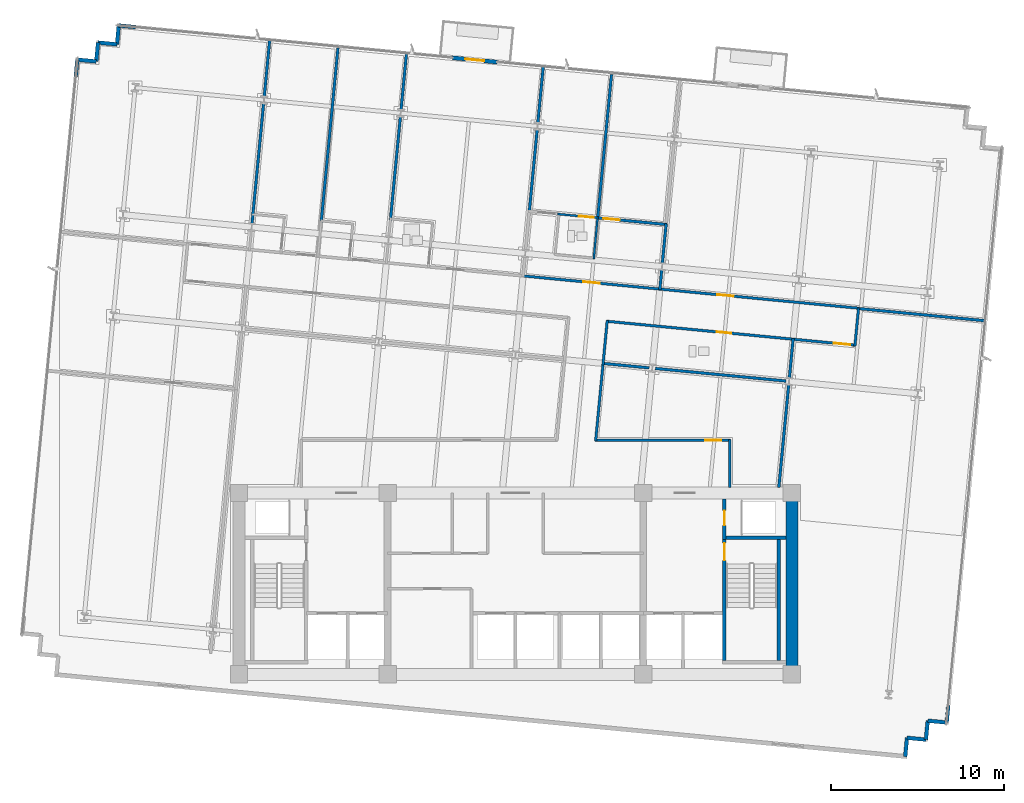
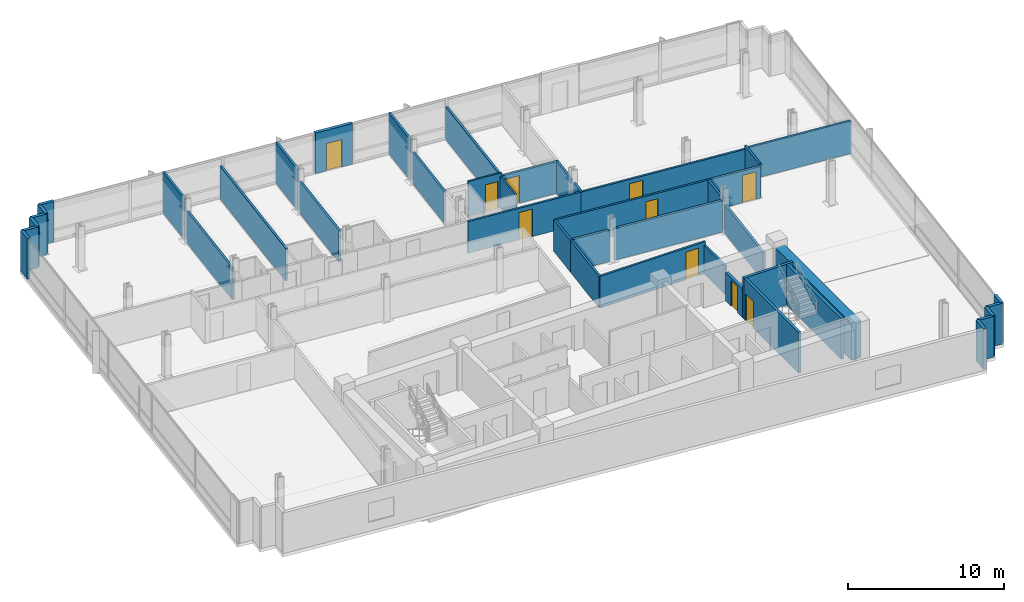
# One storey, part 12 of 17: 44 walls, 10 doors, 10 openings.
"""IFC4 building model written with IfcOpenShell, lengths in metres."""

from ifc_helpers import new_model, si_unit, direction, frame, frame_2d, origin, place, context, subcontext, project, spatial, rectangle, extrude, material, layer, layer_set, type_object, element, fill, save


model = new_model("IFC4")

# Units and contexts
model_context = context("Model", 3, precision=1e-05, world=origin(), true_north=direction((0.0, 1.0)))
body_context = subcontext(model_context, "Body", "Model", "MODEL_VIEW")
ifc_project = project(units=[si_unit("LENGTHUNIT", "METRE"), si_unit("AREAUNIT", "SQUARE_METRE"), si_unit("VOLUMEUNIT", "CUBIC_METRE"), si_unit("PLANEANGLEUNIT", "RADIAN"), si_unit("MASSUNIT", "GRAM", prefix="KILO")], contexts=[model_context])

# Site, building, storey
site_placement = place(None, origin())
site = spatial("IfcSite", under=ifc_project, at=site_placement, CompositionType="ELEMENT")
building_placement = place(site_placement, origin())
building = spatial("IfcBuilding", under=site, at=building_placement, Name="Solmavex Isthmus Hotel", CompositionType="ELEMENT")
storey_placement = place(building_placement, frame((0.0, 0.0, 149.699951171875)))
storey = spatial("IfcBuildingStorey", under=building, at=storey_placement, Name="L40", CompositionType="ELEMENT", Elevation=149.699951171875)

# Wall, opening, door
ifc_material_1 = material(Name="Precast Concrete C40/50", Category="concrete")
ifc_layer_1 = layer(ifc_material_1, 0.25)
ifc_layer_set_1 = layer_set([ifc_layer_1], Name="Precast Concrete C40/50")
wall_type_1 = type_object("IfcWallType", Name="EW-TWR-250", PredefinedType="STANDARD", material=ifc_layer_set_1)
wall_1_placement = place(storey_placement, frame((-3.64404296875, 22.698974609375, 0.0), z_axis=(0.0, 0.0, 1.0), x_axis=(0.995393186867, -0.095877022999, 0.0)))
wall_1 = element("IfcWall", 1, at=wall_1_placement, inside=storey, type_object=wall_type_1, Name="Exterior Balcony Door Wall L40-2", PredefinedType="STANDARD", context=body_context, shape_type="SweptSolid", body=[
    extrude(rectangle(XDim=2.599853515625, YDim=0.239990234375, at=frame_2d((1.2998046875, 0.0))), origin(), (0.0, 0.0, 1.0), 3.18994140625),
])
opening_1_placement = place(wall_1_placement, frame((0.75, 0.0, 0.0)))
opening_1 = element("IfcOpeningElement", 2, at=opening_1_placement, cuts=wall_1, Name="Opening ED-02", PredefinedType="OPENING", context=body_context, shape_type="SweptSolid", body=[
    extrude(rectangle(XDim=1.10009765625, YDim=2.14990234375, at=frame_2d((0.550048828125, 1.074951171875))), frame((0.0, 0.1298828125, 0.0), z_axis=(0.0, -1.0, 0.0), x_axis=(1.0, 0.0, 0.0)), (0.0, 0.0, 1.0), 0.260009765625),
])
ifc_material_2 = material(Name="Aluminium alloy 6063-T6", Category="aluminium")
door_type_1 = type_object("IfcDoorType", Name="EDR-BALC-1100", OperationType="NOTDEFINED", PredefinedType="DOOR", material=ifc_material_2)
door_1_placement = place(opening_1_placement, origin())
door_1 = element("IfcDoor", 3, at=door_1_placement, inside=storey, type_object=door_type_1, Name="Balcony & Terrace Glazed Door L40-2", OperationType="SINGLE_SWING_RIGHT", OverallHeight=2.14990234375, OverallWidth=1.10009765625, PredefinedType="DOOR", context=body_context, shape_type="SweptSolid", body=[
    extrude(rectangle(XDim=1.10009765625, YDim=2.14990234375, at=frame_2d((0.550048828125, 1.074951171875))), frame((0.0, 0.02490234375, 0.0), z_axis=(0.0, -1.0, 0.0), x_axis=(1.0, 0.0, 0.0)), (0.0, 0.0, 1.0), 0.050048828125),
])
fill(opening_1, door_1)

# Walls
wall_2_placement = place(storey_placement, frame((-25.46142578125, 21.60498046875, 0.0), z_axis=(0.0, 0.0, 1.0), x_axis=(0.095937974524, 0.995387314086, 0.0)))
element("IfcWall", 4, at=wall_2_placement, inside=storey, type_object=wall_type_1, Name="Serrated Corner Facade Panel L40-07", PredefinedType="STANDARD", context=body_context, shape_type="SweptSolid", body=[
    extrude(rectangle(XDim=0.989990234375, YDim=0.219970703125, at=frame_2d((0.4951171875, 0.0))), origin(), (0.0, 0.0, 1.0), 3.18994140625),
])
for number, where, z_axis, x_axis, name in (
    (5, (-25.366455078125, 22.59033203125, 0.0), (0.0, 0.0, 1.0), (0.995414313875, -0.095657429048, 0.0), "Serrated Corner Facade Panel L40-08"),
    (6, (-24.271484375, 22.485107421875, 0.0), (0.0, 0.0, 1.0), (0.095657429048, 0.995414313875, 0.0), "Serrated Corner Facade Panel L40-09"),
    (7, (-24.166259765625, 23.580078125, 0.0), (0.0, 0.0, 1.0), (0.995393156894, -0.095877334176, 0.0), "Serrated Corner Facade Panel L40-10"),
    (8, (-23.0712890625, 23.474609375, 0.0), (0.0, 0.0, 1.0), (0.095877334176, 0.995393156894, 0.0), "Serrated Corner Facade Panel L40-11"),
):
    element("IfcWall", number, at=place(storey_placement, frame(where, z_axis=z_axis, x_axis=x_axis)), inside=storey, type_object=wall_type_1, Name=name, PredefinedType="STANDARD", context=body_context, shape_type="SweptSolid", body=[
        extrude(rectangle(XDim=1.10009765625, YDim=0.219970703125, at=frame_2d((0.550048828125, 0.0))), origin(), (0.0, 0.0, 1.0), 3.18994140625),
    ])
wall_3_placement = place(storey_placement, frame((-22.9658203125, 24.569580078125, 0.0), z_axis=(0.0, 0.0, 1.0), x_axis=(0.995387314086, -0.095937974524, 0.0)))
element("IfcWall", 9, at=wall_3_placement, inside=storey, type_object=wall_type_1, Name="Serrated Corner Facade Panel L40-12", PredefinedType="STANDARD", context=body_context, shape_type="SweptSolid", body=[
    extrude(rectangle(XDim=0.989990234375, YDim=0.219970703125, at=frame_2d((0.4951171875, 0.0))), origin(), (0.0, 0.0, 1.0), 3.18994140625),
])
wall_4_placement = place(storey_placement, frame((25.0615234375, -14.804931640625, 0.0), z_axis=(0.0, 0.0, 1.0), x_axis=(-0.095914428506, -0.995389583231, 0.0)))
element("IfcWall", 10, at=wall_4_placement, inside=storey, type_object=wall_type_1, Name="Serrated Corner Facade Panel L40-21", PredefinedType="STANDARD", context=body_context, shape_type="SweptSolid", body=[
    extrude(rectangle(XDim=0.990234375, YDim=0.219970703125, at=frame_2d((0.4951171875, 0.0))), origin(), (0.0, 0.0, 1.0), 3.18994140625),
])
for number, where, z_axis, x_axis, name in (
    (11, (24.966552734375, -15.79052734375, 0.0), (0.0, 0.0, 1.0), (-0.995393156894, 0.095877334176, 0.0), "Serrated Corner Facade Panel L40-22"),
    (12, (23.87158203125, -15.68505859375, 0.0), (0.0, 0.0, 1.0), (-0.095877334176, -0.995393156894, 0.0), "Serrated Corner Facade Panel L40-23"),
    (13, (23.76611328125, -16.780029296875, 0.0), (0.0, 0.0, 1.0), (-0.995393156894, 0.095877334176, 0.0), "Serrated Corner Facade Panel L40-24"),
    (14, (22.671142578125, -16.674560546875, 0.0), (0.0, 0.0, 1.0), (-0.095657429048, -0.995414313875, 0.0), "Serrated Corner Facade Panel L40-25"),
):
    element("IfcWall", number, at=place(storey_placement, frame(where, z_axis=z_axis, x_axis=x_axis)), inside=storey, type_object=wall_type_1, Name=name, PredefinedType="STANDARD", context=body_context, shape_type="SweptSolid", body=[
        extrude(rectangle(XDim=1.10009765625, YDim=0.219970703125, at=frame_2d((0.550048828125, 0.0))), origin(), (0.0, 0.0, 1.0), 3.18994140625),
    ])
ifc_material_3 = material(Name="Gypsum plasterboard lining", Category="gypsum")
ifc_layer_2 = layer(ifc_material_3, 0.159912109375)
ifc_layer_set_2 = layer_set([ifc_layer_2], Name="Gypsum plasterboard lining")
wall_type_2 = type_object("IfcWallType", Name="IW-COMP-160", PredefinedType="PARTITIONING", material=ifc_layer_set_2)
wall_5_placement = place(storey_placement, frame((-14.57958984375, 20.0791015625, 0.0), z_axis=(0.0, 0.0, 1.0), x_axis=(-0.095849846802, -0.995395804124, 0.0)))
element("IfcWall", 15, at=wall_5_placement, inside=storey, type_object=wall_type_2, Name="Interior Partition Wall W-L40-P024", PredefinedType="PARTITIONING", context=body_context, shape_type="SweptSolid", body=[
    extrude(rectangle(XDim=7.040283203125, YDim=0.159912109375, at=frame_2d((3.52001953125, 0.0))), origin(), (0.0, 0.0, 1.0), 2.4794921875),
])
wall_6_placement = place(storey_placement, frame((-14.225341796875, 23.758056640625, 0.0), z_axis=(0.0, 0.0, 1.0), x_axis=(-0.095859866796, -0.995394839216, 0.0)))
element("IfcWall", 16, at=wall_6_placement, inside=storey, type_object=wall_type_2, Name="Interior Partition Wall W-L40-P025", PredefinedType="PARTITIONING", context=body_context, shape_type="SweptSolid", body=[
    extrude(rectangle(XDim=3.343994140625, YDim=0.159912109375, at=frame_2d((1.671875, 0.0))), origin(), (0.0, 0.0, 1.0), 3.18994140625),
])
wall_7_placement = place(storey_placement, frame((-10.277099609375, 23.25732421875, 0.0), z_axis=(0.0, 0.0, 1.0), x_axis=(-0.095852900965, -0.995395510024, 0.0)))
element("IfcWall", 17, at=wall_7_placement, inside=storey, type_object=wall_type_2, Name="Interior Partition Wall W-L40-P030", PredefinedType="PARTITIONING", context=body_context, shape_type="SweptSolid", body=[
    extrude(rectangle(XDim=10.132080078125, YDim=0.159912109375, at=frame_2d((5.06591796875, 0.0))), origin(), (0.0, 0.0, 1.0), 2.5576171875),
])
wall_8_placement = place(storey_placement, frame((-6.66015625, 19.31640625, 0.0), z_axis=(0.0, 0.0, 1.0), x_axis=(-0.095866807264, -0.995394170801, 0.0)))
element("IfcWall", 18, at=wall_8_placement, inside=storey, type_object=wall_type_2, Name="Interior Partition Wall W-L40-P034", PredefinedType="PARTITIONING", context=body_context, shape_type="SweptSolid", body=[
    extrude(rectangle(XDim=6.055908203125, YDim=0.159912109375, at=frame_2d((3.02783203125, 0.0))), origin(), (0.0, 0.0, 1.0), 2.4794921875),
])
wall_9_placement = place(storey_placement, frame((-6.305908203125, 22.995361328125, 0.0), z_axis=(0.0, 0.0, 1.0), x_axis=(-0.095859866796, -0.995394839216, 0.0)))
element("IfcWall", 19, at=wall_9_placement, inside=storey, type_object=wall_type_2, Name="Interior Partition Wall W-L40-P035", PredefinedType="PARTITIONING", context=body_context, shape_type="SweptSolid", body=[
    extrude(rectangle(XDim=3.343994140625, YDim=0.159912109375, at=frame_2d((1.671875, 0.0))), origin(), (0.0, 0.0, 1.0), 3.18994140625),
])
wall_10_placement = place(storey_placement, frame((1.259033203125, 18.553955078125, 0.0), z_axis=(0.0, 0.0, 1.0), x_axis=(-0.095833311996, -0.995397396175, 0.0)))
element("IfcWall", 20, at=wall_10_placement, inside=storey, type_object=wall_type_2, Name="Interior Partition Wall W-L40-P042", PredefinedType="PARTITIONING", context=body_context, shape_type="SweptSolid", body=[
    extrude(rectangle(XDim=4.847900390625, YDim=0.159912109375, at=frame_2d((2.423828125, 0.0))), origin(), (0.0, 0.0, 1.0), 2.4794921875),
])
wall_11_placement = place(storey_placement, frame((1.61328125, 22.23291015625, 0.0), z_axis=(0.0, 0.0, 1.0), x_axis=(-0.095787528641, -0.99540180297, 0.0)))
element("IfcWall", 21, at=wall_11_placement, inside=storey, type_object=wall_type_2, Name="Interior Partition Wall W-L40-P043", PredefinedType="PARTITIONING", context=body_context, shape_type="SweptSolid", body=[
    extrude(rectangle(XDim=3.343994140625, YDim=0.159912109375, at=frame_2d((1.671875, 0.0))), origin(), (0.0, 0.0, 1.0), 3.18994140625),
])

# Wall, opening, door
wall_12_placement = place(storey_placement, frame((4.712158203125, 13.433349609375, 0.0), z_axis=(0.0, 0.0, 1.0), x_axis=(0.995396485523, -0.095842770251, 0.0)))
wall_12 = element("IfcWall", 22, at=wall_12_placement, inside=storey, type_object=wall_type_2, Name="Interior Partition Wall W-L40-P045", PredefinedType="PARTITIONING", context=body_context, shape_type="SweptSolid", body=[
    extrude(rectangle(XDim=4.068115234375, YDim=0.159912109375, at=frame_2d((2.0341796875, 0.0))), origin(), (0.0, 0.0, 1.0), 2.4794921875),
])
opening_2_placement = place(wall_12_placement, frame((0.386474609375, 0.0, 0.0)))
opening_2 = element("IfcOpeningElement", 23, at=opening_2_placement, cuts=wall_12, Name="Opening ID-C095", PredefinedType="OPENING", context=body_context, shape_type="SweptSolid", body=[
    extrude(rectangle(XDim=0.949951171875, YDim=2.14990234375, at=frame_2d((0.47509765625, 1.074951171875))), frame((0.0, 0.08984375, 0.0), z_axis=(0.0, -1.0, 0.0), x_axis=(1.0, 0.0, 0.0)), (0.0, 0.0, 1.0), 0.179931640625),
])
ifc_material_4 = material(Name="Hardwood timber", Category="wood")
door_type_2 = type_object("IfcDoorType", Name="IDR-FD60-0950", OperationType="NOTDEFINED", PredefinedType="DOOR", material=ifc_material_4)
door_2_placement = place(opening_2_placement, origin())
door_2 = element("IfcDoor", 24, at=door_2_placement, inside=storey, type_object=door_type_2, Name="Ambassador Suite Sitting Lounge Door L40-10", OperationType="SINGLE_SWING_RIGHT", OverallHeight=2.14990234375, OverallWidth=0.949951171875, PredefinedType="DOOR", context=body_context, shape_type="SweptSolid", body=[
    extrude(rectangle(XDim=0.949951171875, YDim=2.14990234375, at=frame_2d((0.47509765625, 1.074951171875))), frame((0.0, 0.02490234375, 0.0), z_axis=(0.0, -1.0, 0.0), x_axis=(1.0, 0.0, 0.0)), (0.0, 0.0, 1.0), 0.050048828125),
])
fill(opening_2, door_2)

# Walls
wall_13_placement = place(storey_placement, frame((8.469970703125, 10.433349609375, 0.0), z_axis=(0.0, 0.0, 1.0), x_axis=(-0.095831494917, -0.995397571115, 0.0)))
element("IfcWall", 25, at=wall_13_placement, inside=storey, type_object=wall_type_2, Name="Interior Partition Wall W-L40-P049", PredefinedType="PARTITIONING", context=body_context, shape_type="SweptSolid", body=[
    extrude(rectangle(XDim=1.171875, YDim=0.159912109375, at=frame_2d((0.5859375, 0.0))), origin(), (0.0, 0.0, 1.0), 2.4794921875),
])
wall_14_placement = place(storey_placement, frame((8.7255859375, 13.087158203125, 0.0), z_axis=(0.0, 0.0, 1.0), x_axis=(-0.095899358877, -0.995391035205, 0.0)))
element("IfcWall", 26, at=wall_14_placement, inside=storey, type_object=wall_type_2, Name="Interior Partition Wall W-L40-P050", PredefinedType="PARTITIONING", context=body_context, shape_type="SweptSolid", body=[
    extrude(rectangle(XDim=2.314208984375, YDim=0.159912109375, at=frame_2d((1.1572265625, 0.0))), origin(), (0.0, 0.0, 1.0), 2.4794921875),
])
wall_15_placement = place(storey_placement, frame((5.5615234375, 21.732177734375, 0.0), z_axis=(0.0, 0.0, 1.0), x_axis=(-0.095826179736, -0.995398082818, 0.0)))
element("IfcWall", 27, at=wall_15_placement, inside=storey, type_object=wall_type_2, Name="Interior Partition Wall W-L40-P051", PredefinedType="PARTITIONING", context=body_context, shape_type="SweptSolid", body=[
    extrude(rectangle(XDim=8.382080078125, YDim=0.159912109375, at=frame_2d((4.19091796875, 0.0))), origin(), (0.0, 0.0, 1.0), 2.5576171875),
])
wall_16_placement = place(storey_placement, frame((27.236328125, 7.468994140625, 0.0), z_axis=(0.0, 0.0, 1.0), x_axis=(-0.995396228159, 0.095845443117, 0.0)))
element("IfcWall", 28, at=wall_16_placement, inside=storey, type_object=wall_type_2, Name="Interior Partition Wall W-L40-P055", PredefinedType="PARTITIONING", context=body_context, shape_type="SweptSolid", body=[
    extrude(rectangle(XDim=7.447998046875, YDim=0.159912109375, at=frame_2d((3.72412109375, 0.0))), origin(), (0.0, 0.0, 1.0), 2.5576171875),
])
wall_17_placement = place(storey_placement, frame((7.745361328125, 4.74462890625, 0.0), z_axis=(0.0, 0.0, 1.0), x_axis=(-0.995392910691, 0.095879890208, 0.0)))
element("IfcWall", 29, at=wall_17_placement, inside=storey, type_object=wall_type_2, Name="Interior Partition Wall W-L40-P056", PredefinedType="PARTITIONING", context=body_context, shape_type="SweptSolid", body=[
    extrude(rectangle(XDim=2.721923828125, YDim=0.159912109375, at=frame_2d((1.36083984375, 0.0))), origin(), (0.0, 0.0, 1.0), 2.4794921875),
])
wall_18_placement = place(storey_placement, frame((15.664794921875, 3.982177734375, 0.0), z_axis=(0.0, 0.0, 1.0), x_axis=(-0.995396667246, 0.095840882902, 0.0)))
element("IfcWall", 30, at=wall_18_placement, inside=storey, type_object=wall_type_2, Name="Interior Partition Wall W-L40-P057", PredefinedType="PARTITIONING", context=body_context, shape_type="SweptSolid", body=[
    extrude(rectangle(XDim=7.603759765625, YDim=0.159912109375, at=frame_2d((3.8017578125, 0.0))), origin(), (0.0, 0.0, 1.0), 2.4794921875),
])
wall_19_placement = place(storey_placement, frame((16.07861328125, 6.44384765625, 0.0), z_axis=(0.0, 0.0, 1.0), x_axis=(-0.095794827695, -0.995401100555, 0.0)))
element("IfcWall", 31, at=wall_19_placement, inside=storey, type_object=wall_type_2, Name="Interior Partition Wall W-L40-P058", PredefinedType="PARTITIONING", context=body_context, shape_type="SweptSolid", body=[
    extrude(rectangle(XDim=2.314208984375, YDim=0.159912109375, at=frame_2d((1.1572265625, 0.0))), origin(), (0.0, 0.0, 1.0), 2.4794921875),
])
wall_20_placement = place(storey_placement, frame((15.8232421875, 3.7900390625, 0.0), z_axis=(0.0, 0.0, 1.0), x_axis=(-0.095865726078, -0.99539427493, 0.0)))
element("IfcWall", 32, at=wall_20_placement, inside=storey, type_object=wall_type_2, Name="Interior Partition Wall W-L40-P063", PredefinedType="PARTITIONING", context=body_context, shape_type="SweptSolid", body=[
    extrude(rectangle(XDim=6.007568359375, YDim=0.159912109375, at=frame_2d((3.00390625, 0.0))), origin(), (0.0, 0.0, 1.0), 2.22509765625),
])

# Wall, opening, door
ifc_layer_3 = layer(ifc_material_3, 0.14990234375)
ifc_layer_set_3 = layer_set([ifc_layer_3], Name="Gypsum plasterboard lining")
wall_type_3 = type_object("IfcWallType", Name="IW-CORR-150", PredefinedType="PARTITIONING", material=ifc_layer_set_3)
wall_21_placement = place(storey_placement, frame((0.360595703125, 10.076904296875, 0.0), z_axis=(0.0, 0.0, 1.0), x_axis=(0.995398335831, -0.09582355151, 0.0)))
wall_21 = element("IfcWall", 33, at=wall_21_placement, inside=storey, type_object=wall_type_3, Name="Interior Partition Wall W-L40-P008", PredefinedType="PARTITIONING", context=body_context, shape_type="SweptSolid", body=[
    extrude(rectangle(XDim=8.119873046875, YDim=0.14990234375, at=frame_2d((4.06005859375, 0.0))), origin(), (0.0, 0.0, 1.0), 2.4794921875),
])
opening_3_placement = place(wall_21_placement, frame((3.5849609375, 0.0, 0.0)))
opening_3 = element("IfcOpeningElement", 34, at=opening_3_placement, cuts=wall_21, Name="Opening ID-C095", PredefinedType="OPENING", context=body_context, shape_type="SweptSolid", body=[
    extrude(rectangle(XDim=0.949951171875, YDim=2.14990234375, at=frame_2d((0.47509765625, 1.074951171875))), frame((0.0, 0.0849609375, 0.0), z_axis=(0.0, -1.0, 0.0), x_axis=(1.0, 0.0, 0.0)), (0.0, 0.0, 1.0), 0.169921875),
])
door_3_placement = place(opening_3_placement, frame((0.949951171875, 0.0, 0.0), z_axis=(0.0, 0.0, 1.0), x_axis=(-1.0, 0.0, 0.0)))
door_3 = element("IfcDoor", 35, at=door_3_placement, inside=storey, type_object=door_type_2, Name="Ambassador Suite Reception Foyer Door L40-08", OperationType="SINGLE_SWING_RIGHT", OverallHeight=2.14990234375, OverallWidth=0.949951171875, PredefinedType="DOOR", context=body_context, shape_type="SweptSolid", body=[
    extrude(rectangle(XDim=0.949951171875, YDim=2.14990234375, at=frame_2d((0.47509765625, 1.074951171875))), frame((0.0, 0.02490234375, 0.0), z_axis=(0.0, -1.0, 0.0), x_axis=(1.0, 0.0, 0.0)), (0.0, 0.0, 1.0), 0.050048828125),
])
fill(opening_3, door_3)

wall_22_placement = place(storey_placement, frame((8.280029296875, 9.314453125, 0.0), z_axis=(0.0, 0.0, 1.0), x_axis=(0.995395229283, -0.095855816312, 0.0)))
wall_22 = element("IfcWall", 36, at=wall_22_placement, inside=storey, type_object=wall_type_3, Name="Interior Partition Wall W-L40-P009", PredefinedType="PARTITIONING", context=body_context, shape_type="SweptSolid", body=[
    extrude(rectangle(XDim=11.677734375, YDim=0.14990234375, at=frame_2d((5.8388671875, 0.0))), origin(), (0.0, 0.0, 1.0), 2.4794921875),
])
opening_4_placement = place(wall_22_placement, frame((3.41552734375, 0.0, 0.0)))
opening_4 = element("IfcOpeningElement", 37, at=opening_4_placement, cuts=wall_22, Name="Opening ID-C095", PredefinedType="OPENING", context=body_context, shape_type="SweptSolid", body=[
    extrude(rectangle(XDim=0.949951171875, YDim=2.14990234375, at=frame_2d((0.47509765625, 1.074951171875))), frame((0.0, 0.0849609375, 0.0), z_axis=(0.0, -1.0, 0.0), x_axis=(1.0, 0.0, 0.0)), (0.0, 0.0, 1.0), 0.169921875),
])
door_4_placement = place(opening_4_placement, frame((0.949951171875, 0.0, 0.0), z_axis=(0.0, 0.0, 1.0), x_axis=(-1.0, 0.0, 0.0)))
door_4 = element("IfcDoor", 38, at=door_4_placement, inside=storey, type_object=door_type_2, Name="Corporate Briefing Office Door L40-12", OperationType="SINGLE_SWING_RIGHT", OverallHeight=2.14990234375, OverallWidth=0.949951171875, PredefinedType="DOOR", context=body_context, shape_type="SweptSolid", body=[
    extrude(rectangle(XDim=0.949951171875, YDim=2.14990234375, at=frame_2d((0.47509765625, 1.074951171875))), frame((0.0, 0.02490234375, 0.0), z_axis=(0.0, -1.0, 0.0), x_axis=(1.0, 0.0, 0.0)), (0.0, 0.0, 1.0), 0.050048828125),
])
fill(opening_4, door_4)

wall_23_placement = place(storey_placement, frame((16.156494140625, 6.39599609375, 0.0), z_axis=(0.0, 0.0, 1.0), x_axis=(-0.99539478422, 0.095860437863, 0.0)))
wall_23 = element("IfcWall", 39, at=wall_23_placement, inside=storey, type_object=wall_type_3, Name="Interior Partition Wall W-L40-P010", PredefinedType="PARTITIONING", context=body_context, shape_type="SweptSolid", body=[
    extrude(rectangle(XDim=10.93603515625, YDim=0.14990234375, at=frame_2d((5.468017578125, 0.0))), origin(), (0.0, 0.0, 1.0), 2.4794921875),
])
opening_5_placement = place(wall_23_placement, frame((3.675048828125, 0.0, 0.0)))
opening_5 = element("IfcOpeningElement", 40, at=opening_5_placement, cuts=wall_23, Name="Opening ID-R085", PredefinedType="OPENING", context=body_context, shape_type="SweptSolid", body=[
    extrude(rectangle(XDim=0.85009765625, YDim=2.050048828125, at=frame_2d((0.425048828125, 1.02490234375))), frame((0.0, 0.0849609375, 0.0), z_axis=(0.0, -1.0, 0.0), x_axis=(1.0, 0.0, 0.0)), (0.0, 0.0, 1.0), 0.169921875),
])
ifc_material_5 = material(Name="Steel ASTM A500 Grade C", Category="steel")
door_type_3 = type_object("IfcDoorType", Name="IDR-FD60-0850", OperationType="NOTDEFINED", PredefinedType="DOOR", material=ifc_material_5)
door_5_placement = place(opening_5_placement, frame((0.85009765625, 0.0, 0.0), z_axis=(0.0, 0.0, 1.0), x_axis=(-1.0, 0.0, 0.0)))
door_5 = element("IfcDoor", 41, at=door_5_placement, inside=storey, type_object=door_type_3, Name="Accessible Public Restroom WC Door L40-13", OperationType="SINGLE_SWING_LEFT", OverallHeight=2.050048828125, OverallWidth=0.85009765625, PredefinedType="DOOR", context=body_context, shape_type="SweptSolid", body=[
    extrude(rectangle(XDim=0.85009765625, YDim=2.050048828125, at=frame_2d((0.425048828125, 1.02490234375))), frame((0.0, 0.02490234375, 0.0), z_axis=(0.0, -1.0, 0.0), x_axis=(1.0, 0.0, 0.0)), (0.0, 0.0, 1.0), 0.050048828125),
])
fill(opening_5, door_5)

# Walls
wall_24_placement = place(storey_placement, frame((5.314453125, 7.480224609375, 0.0), z_axis=(0.0, 0.0, 1.0), x_axis=(-0.09587519517, -0.995393362923, 0.0)))
element("IfcWall", 42, at=wall_24_placement, inside=storey, type_object=wall_type_3, Name="Interior Partition Wall W-L40-P011", PredefinedType="PARTITIONING", context=body_context, shape_type="SweptSolid", body=[
    extrude(rectangle(XDim=2.572021484375, YDim=0.14990234375, at=frame_2d((1.2861328125, 0.0))), origin(), (0.0, 0.0, 1.0), 2.4794921875),
])
wall_25_placement = place(storey_placement, frame((5.083740234375, 5.083251953125, 0.0), z_axis=(0.0, 0.0, 1.0), x_axis=(-0.095867331855, -0.995394120277, 0.0)))
element("IfcWall", 43, at=wall_25_placement, inside=storey, type_object=wall_type_3, Name="Interior Partition Wall W-L40-P014", PredefinedType="PARTITIONING", context=body_context, shape_type="SweptSolid", body=[
    extrude(rectangle(XDim=4.59423828125, YDim=0.14990234375, at=frame_2d((2.297119140625, 0.0))), origin(), (0.0, 0.0, 1.0), 2.4794921875),
])

# Wall, opening, door
wall_26_placement = place(storey_placement, frame((4.607177734375, 0.550048828125, 0.0), z_axis=(0.0, 0.0, 1.0), x_axis=(1.0, 0.0, 0.0)))
wall_26 = element("IfcWall", 44, at=wall_26_placement, inside=storey, type_object=wall_type_3, Name="Interior Partition Wall W-L40-P015", PredefinedType="PARTITIONING", context=body_context, shape_type="SweptSolid", body=[
    extrude(rectangle(XDim=7.832763671875, YDim=0.14990234375, at=frame_2d((3.91650390625, 0.0))), origin(), (0.0, 0.0, 1.0), 2.4794921875),
])
opening_6_placement = place(wall_26_placement, frame((6.3720703125, 0.0, 0.0)))
opening_6 = element("IfcOpeningElement", 45, at=opening_6_placement, cuts=wall_26, Name="Opening ID-C095", PredefinedType="OPENING", context=body_context, shape_type="SweptSolid", body=[
    extrude(rectangle(XDim=0.949951171875, YDim=2.14990234375, at=frame_2d((0.47509765625, 1.074951171875))), frame((0.0, 0.0849609375, 0.0), z_axis=(0.0, -1.0, 0.0), x_axis=(1.0, 0.0, 0.0)), (0.0, 0.0, 1.0), 0.169921875),
])
door_6_placement = place(opening_6_placement, origin())
door_6 = element("IfcDoor", 46, at=door_6_placement, inside=storey, type_object=door_type_2, Name="Seminar Meeting Room Door L40-15", OperationType="SINGLE_SWING_LEFT", OverallHeight=2.14990234375, OverallWidth=0.949951171875, PredefinedType="DOOR", context=body_context, shape_type="SweptSolid", body=[
    extrude(rectangle(XDim=0.949951171875, YDim=2.14990234375, at=frame_2d((0.47509765625, 1.074951171875))), frame((0.0, 0.02490234375, 0.0), z_axis=(0.0, -1.0, 0.0), x_axis=(1.0, 0.0, 0.0)), (0.0, 0.0, 1.0), 0.050048828125),
])
fill(opening_6, door_6)

# Walls
wall_27_placement = place(storey_placement, frame((12.39990234375, 0.590087890625, 0.0), z_axis=(0.0, 0.0, 1.0), x_axis=(0.0, -1.0, 0.0)))
element("IfcWall", 47, at=wall_27_placement, inside=storey, type_object=wall_type_3, Name="Interior Partition Wall W-L40-P016", PredefinedType="PARTITIONING", context=body_context, shape_type="SweptSolid", body=[
    extrude(rectangle(XDim=2.780029296875, YDim=0.14990234375, at=frame_2d((1.39013671875, 0.0))), origin(), (0.0, 0.0, 1.0), 2.22509765625),
])
wall_28_placement = place(storey_placement, frame((19.8662109375, 8.218994140625, 0.0), z_axis=(0.0, 0.0, 1.0), x_axis=(-0.095773447772, -0.995403157872, 0.0)))
element("IfcWall", 48, at=wall_28_placement, inside=storey, type_object=wall_type_3, Name="Interior Partition Wall W-L40-P022", PredefinedType="PARTITIONING", context=body_context, shape_type="SweptSolid", body=[
    extrude(rectangle(XDim=2.210205078125, YDim=0.14990234375, at=frame_2d((1.10498046875, 0.0))), origin(), (0.0, 0.0, 1.0), 2.71826171875),
])

# Wall, opening, door
wall_29_placement = place(storey_placement, frame((19.697998046875, 6.05517578125, 0.0), z_axis=(0.0, 0.0, 1.0), x_axis=(-0.995397364202, 0.095833644092, 0.0)))
wall_29 = element("IfcWall", 49, at=wall_29_placement, inside=storey, type_object=wall_type_3, Name="Interior Partition Wall W-L40-P023", PredefinedType="PARTITIONING", context=body_context, shape_type="SweptSolid", body=[
    extrude(rectangle(XDim=3.721923828125, YDim=0.14990234375, at=frame_2d((1.86083984375, 0.0))), origin(), (0.0, 0.0, 1.0), 2.4794921875),
])
opening_7_placement = place(wall_29_placement, frame((0.315185546875, 0.0, 0.0)))
opening_7 = element("IfcOpeningElement", 50, at=opening_7_placement, cuts=wall_29, Name="Opening ID-C095", PredefinedType="OPENING", context=body_context, shape_type="SweptSolid", body=[
    extrude(rectangle(XDim=0.949951171875, YDim=2.14990234375, at=frame_2d((0.47509765625, 1.074951171875))), frame((0.0, 0.0849609375, 0.0), z_axis=(0.0, -1.0, 0.0), x_axis=(1.0, 0.0, 0.0)), (0.0, 0.0, 1.0), 0.169921875),
])
door_7_placement = place(opening_7_placement, frame((0.949951171875, 0.0, 0.0), z_axis=(0.0, 0.0, 1.0), x_axis=(-1.0, 0.0, 0.0)))
door_7 = element("IfcDoor", 51, at=door_7_placement, inside=storey, type_object=door_type_2, Name="Executive Hospitality Lounge Door L40-18", OperationType="SINGLE_SWING_RIGHT", OverallHeight=2.14990234375, OverallWidth=0.949951171875, PredefinedType="DOOR", context=body_context, shape_type="SweptSolid", body=[
    extrude(rectangle(XDim=0.949951171875, YDim=2.14990234375, at=frame_2d((0.47509765625, 1.074951171875))), frame((0.0, 0.02490234375, 0.0), z_axis=(0.0, -1.0, 0.0), x_axis=(1.0, 0.0, 0.0)), (0.0, 0.0, 1.0), 0.050048828125),
])
fill(opening_7, door_7)

# Wall
ifc_layer_4 = layer(ifc_material_3, 0.1201171875)
ifc_layer_set_4 = layer_set([ifc_layer_4], Name="Gypsum plasterboard lining")
wall_type_4 = type_object("IfcWallType", Name="IW-PART-120", PredefinedType="PARTITIONING", material=ifc_layer_set_4)
wall_30_placement = place(storey_placement, frame((4.533203125, 11.049560546875, 0.0), z_axis=(0.0, 0.0, 1.0), x_axis=(0.091622673793, 0.995793796751, 0.0)))
element("IfcWall", 52, at=wall_30_placement, inside=storey, type_object=wall_type_4, Name="Interior Partition Wall W-L40-P048", PredefinedType="PARTITIONING", context=body_context, shape_type="SweptSolid", body=[
    extrude(rectangle(XDim=2.43017578125, YDim=0.1201171875, at=frame_2d((1.215087890625, 0.0))), origin(), (0.0, 0.0, 1.0), 2.4794921875),
])

# Wall, opening, door
wall_31_placement = place(storey_placement, frame((4.8017578125, 13.4248046875, 0.0), z_axis=(0.0, 0.0, 1.0), x_axis=(-0.995398273854, 0.095824195322, 0.0)))
wall_31 = element("IfcWall", 53, at=wall_31_placement, inside=storey, type_object=wall_type_4, Name="Interior Partition Wall W-L40-P052", PredefinedType="PARTITIONING", context=body_context, shape_type="SweptSolid", body=[
    extrude(rectangle(XDim=2.3720703125, YDim=0.1201171875, at=frame_2d((1.18603515625, 0.0))), origin(), (0.0, 0.0, 1.0), 2.71826171875),
])
opening_8_placement = place(wall_31_placement, frame((0.27978515625, 0.0, 0.0)))
opening_8 = element("IfcOpeningElement", 54, at=opening_8_placement, cuts=wall_31, Name="Opening ID-U085", PredefinedType="OPENING", context=body_context, shape_type="SweptSolid", body=[
    extrude(rectangle(XDim=0.85009765625, YDim=2.10009765625, at=frame_2d((0.425048828125, 1.050048828125))), frame((0.0, 0.070068359375, 0.0), z_axis=(0.0, -1.0, 0.0), x_axis=(1.0, 0.0, 0.0)), (0.0, 0.0, 1.0), 0.14013671875),
])
door_type_4 = type_object("IfcDoorType", Name="IDR-UNR-0850", OperationType="NOTDEFINED", PredefinedType="DOOR", material=ifc_material_4)
door_8_placement = place(opening_8_placement, frame((0.85009765625, 0.0, 0.0), z_axis=(0.0, 0.0, 1.0), x_axis=(-1.0, 0.0, 0.0)))
door_8 = element("IfcDoor", 55, at=door_8_placement, inside=storey, type_object=door_type_4, Name="En-suite Bathroom Door L40-11", OperationType="SINGLE_SWING_LEFT", OverallHeight=2.10009765625, OverallWidth=0.85009765625, PredefinedType="DOOR", context=body_context, shape_type="SweptSolid", body=[
    extrude(rectangle(XDim=0.85009765625, YDim=2.10009765625, at=frame_2d((0.425048828125, 1.050048828125))), frame((0.0, 0.02490234375, 0.0), z_axis=(0.0, -1.0, 0.0), x_axis=(1.0, 0.0, 0.0)), (0.0, 0.0, 1.0), 0.050048828125),
])
fill(opening_8, door_8)

ifc_material_6 = material(Name="Concrete C40/50", Category="concrete")
ifc_layer_5 = layer(ifc_material_6, 0.199951171875)
ifc_layer_set_5 = layer_set([ifc_layer_5], Name="Concrete C40/50")
wall_type_5 = type_object("IfcWallType", Name="IW-SHAFT-200", PredefinedType="PARTITIONING", material=ifc_layer_set_5)
wall_32_placement = place(storey_placement, frame((12.10009765625, -5.199951171875, 0.0), z_axis=(0.0, 0.0, 1.0), x_axis=(0.0, 1.0, 0.0)))
wall_32 = element("IfcWall", 56, at=wall_32_placement, inside=storey, type_object=wall_type_5, Name="Interior Partition Wall W-L40-RSE-W", PredefinedType="PARTITIONING", context=body_context, shape_type="SweptSolid", body=[
    extrude(rectangle(XDim=2.349853515625, YDim=0.199951171875, at=frame_2d((1.1748046875, 0.0))), origin(), (0.0, 0.0, 1.0), 2.22509765625),
])
opening_9_placement = place(wall_32_placement, frame((0.824951171875, 0.0, 0.0)))
opening_9 = element("IfcOpeningElement", 57, at=opening_9_placement, cuts=wall_32, Name="Opening ID-R085", PredefinedType="OPENING", context=body_context, shape_type="SweptSolid", body=[
    extrude(rectangle(XDim=0.85009765625, YDim=2.050048828125, at=frame_2d((0.425048828125, 1.02490234375))), frame((0.0, 0.10986328125, 0.0), z_axis=(0.0, -1.0, 0.0), x_axis=(1.0, 0.0, 0.0)), (0.0, 0.0, 1.0), 0.219970703125),
])
door_9_placement = place(opening_9_placement, frame((0.85009765625, 0.0, 0.0), z_axis=(0.0, 0.0, 1.0), x_axis=(-1.0, 0.0, 0.0)))
door_9 = element("IfcDoor", 58, at=door_9_placement, inside=storey, type_object=door_type_3, Name="Mechanical Riser Door L40", OperationType="SINGLE_SWING_LEFT", OverallHeight=2.050048828125, OverallWidth=0.85009765625, PredefinedType="DOOR", context=body_context, shape_type="SweptSolid", body=[
    extrude(rectangle(XDim=0.85009765625, YDim=2.050048828125, at=frame_2d((0.425048828125, 1.02490234375))), frame((0.0, 0.02490234375, 0.0), z_axis=(0.0, -1.0, 0.0), x_axis=(1.0, 0.0, 0.0)), (0.0, 0.0, 1.0), 0.050048828125),
])
fill(opening_9, door_9)

# Walls
ifc_material_7 = material(Name="Concrete C60/75", Category="concrete")
ifc_layer_6 = layer(ifc_material_7, 0.699951171875)
ifc_layer_set_6 = layer_set([ifc_layer_6], Name="Concrete C60/75")
wall_type_6 = type_object("IfcWallType", Name="WALL-CW-700", PredefinedType="SHEAR", material=ifc_layer_set_6)
wall_33_placement = place(storey_placement, frame((16.0, -12.64990234375, 0.0), z_axis=(0.0, 0.0, 1.0), x_axis=(0.0, 1.0, 0.0)))
element("IfcWall", 59, at=wall_33_placement, inside=storey, type_object=wall_type_6, Name="Core Shear Wall East L40", PredefinedType="SHEAR", context=body_context, shape_type="SweptSolid", body=[
    extrude(rectangle(XDim=9.7998046875, YDim=0.699951171875, at=frame_2d((4.89990234375, 0.0))), origin(), (0.0, 0.0, 1.0), 2.91015625),
])
ifc_layer_7 = layer(ifc_material_6, 0.199951171875)
ifc_layer_set_7 = layer_set([ifc_layer_7], Name="Concrete C40/50")
wall_type_7 = type_object("IfcWallType", Name="WALL-SW-200", PredefinedType="SOLIDWALL", material=ifc_layer_set_7)
wall_34_placement = place(storey_placement, frame((12.0, -5.10009765625, 0.0), z_axis=(0.0, 0.0, 1.0), x_axis=(1.0, 0.0, 0.0)))
element("IfcWall", 60, at=wall_34_placement, inside=storey, type_object=wall_type_7, Name="Stairwell Structural Wall SW-L40-ST2-N", PredefinedType="SOLIDWALL", context=body_context, shape_type="SweptSolid", body=[
    extrude(rectangle(XDim=3.64990234375, YDim=0.199951171875, at=frame_2d((1.824951171875, 0.0))), origin(), (0.0, 0.0, 1.0), 3.18994140625),
])

# Wall, opening, door
wall_35_placement = place(storey_placement, frame((12.10009765625, -12.199951171875, 0.0), z_axis=(0.0, 0.0, 1.0), x_axis=(0.0, 1.0, 0.0)))
wall_35 = element("IfcWall", 61, at=wall_35_placement, inside=storey, type_object=wall_type_7, Name="Stairwell Structural Wall SW-L40-ST2-W", PredefinedType="SOLIDWALL", context=body_context, shape_type="SweptSolid", body=[
    extrude(rectangle(XDim=7.0, YDim=0.199951171875, at=frame_2d((3.5, 0.0))), origin(), (0.0, 0.0, 1.0), 3.18994140625),
])
opening_10_placement = place(wall_35_placement, frame((5.800048828125, 0.0, 0.0)))
opening_10 = element("IfcOpeningElement", 62, at=opening_10_placement, cuts=wall_35, Name="Opening ID-F100", PredefinedType="OPENING", context=body_context, shape_type="SweptSolid", body=[
    extrude(rectangle(XDim=1.0, YDim=2.10009765625, at=frame_2d((0.5, 1.050048828125))), frame((0.0, 0.10986328125, 0.0), z_axis=(0.0, -1.0, 0.0), x_axis=(1.0, 0.0, 0.0)), (0.0, 0.0, 1.0), 0.219970703125),
])
door_type_5 = type_object("IfcDoorType", Name="IDR-FD90-1000", OperationType="NOTDEFINED", PredefinedType="DOOR", material=ifc_material_5)
door_10_placement = place(opening_10_placement, origin())
door_10 = element("IfcDoor", 63, at=door_10_placement, inside=storey, type_object=door_type_5, Name="Stair ST-2 Fire Door L40", OperationType="SINGLE_SWING_RIGHT", OverallHeight=2.10009765625, OverallWidth=1.0, PredefinedType="DOOR", context=body_context, shape_type="SweptSolid", body=[
    extrude(rectangle(XDim=1.0, YDim=2.10009765625, at=frame_2d((0.5, 1.050048828125))), frame((0.0, 0.02490234375, 0.0), z_axis=(0.0, -1.0, 0.0), x_axis=(1.0, 0.0, 0.0)), (0.0, 0.0, 1.0), 0.050048828125),
])
fill(opening_10, door_10)

# Wall
wall_36_placement = place(storey_placement, frame((15.25, -12.199951171875, 0.0), z_axis=(0.0, 0.0, 1.0), x_axis=(0.0, 1.0, 0.0)))
element("IfcWall", 64, at=wall_36_placement, inside=storey, type_object=wall_type_7, Name="Stairwell Structural Wall SW-L40-ST2-E", PredefinedType="SOLIDWALL", context=body_context, shape_type="SweptSolid", body=[
    extrude(rectangle(XDim=7.0, YDim=0.199951171875, at=frame_2d((3.5, 0.0))), origin(), (0.0, 0.0, 1.0), 3.18994140625),
])

save(model, "model.ifc")
